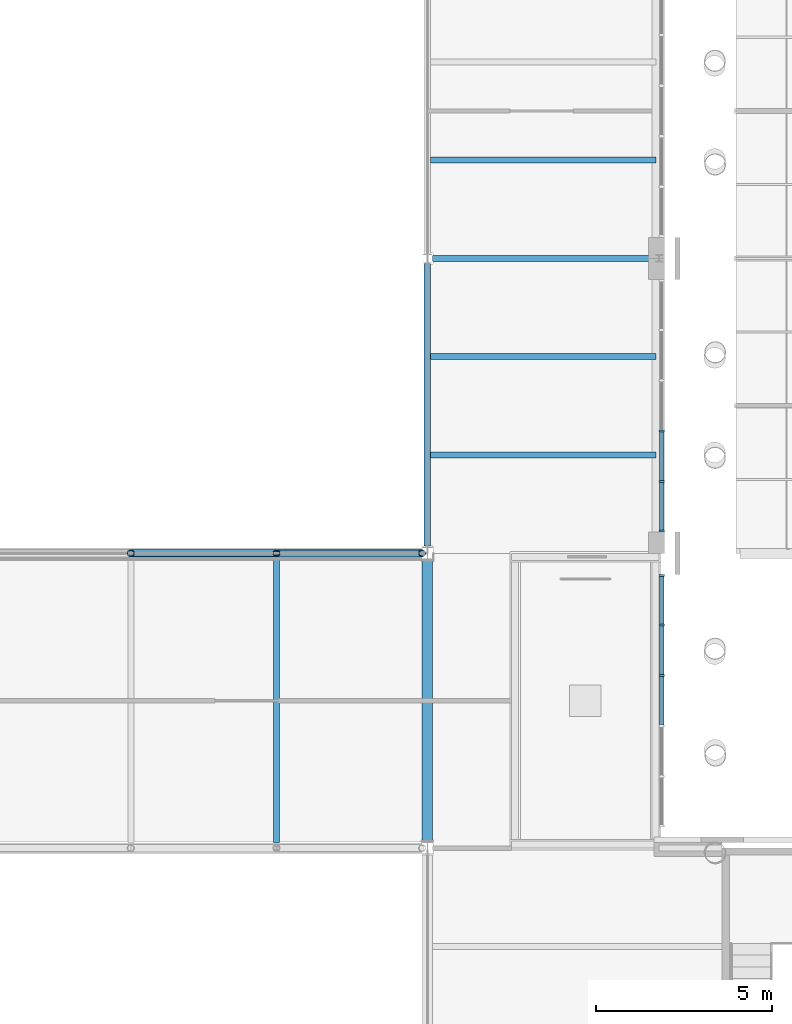
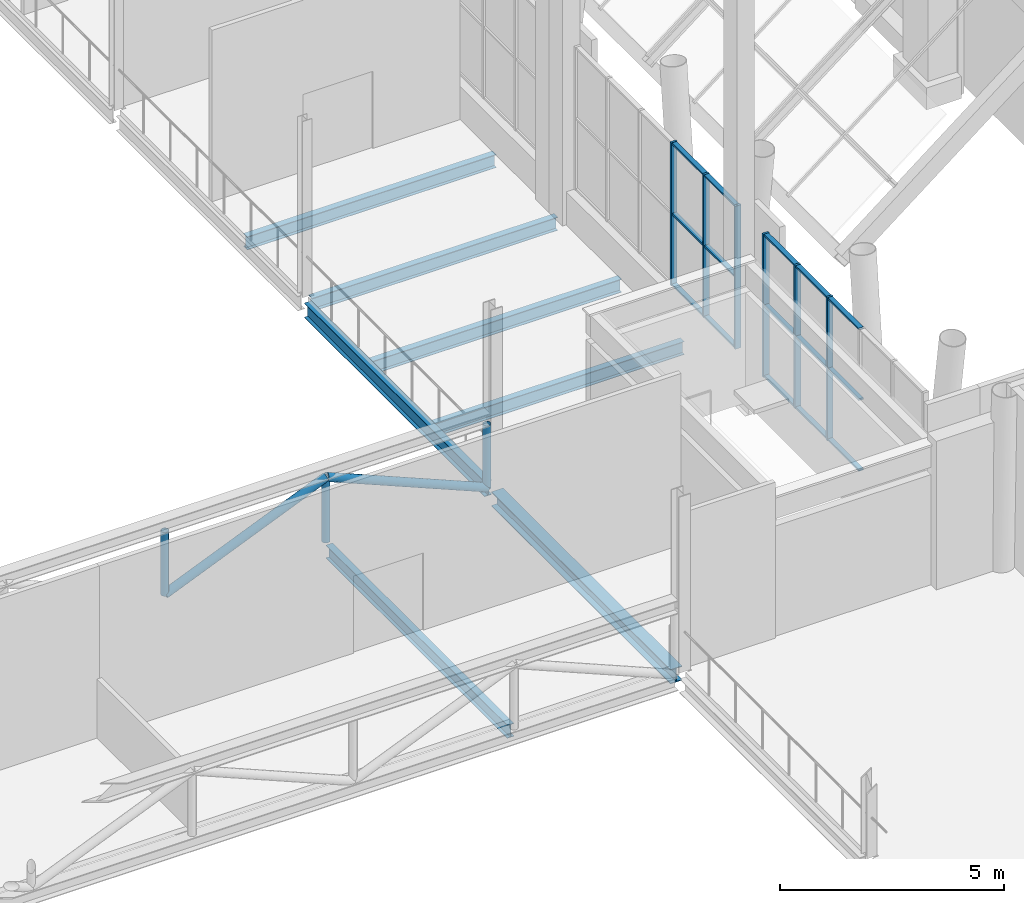
# One storey, part 26 of 76: 26 members, 7 beams, 2 elements without a shape of their own.
"""IFC4 building model written with IfcOpenShell, lengths in metres."""

from ifc_helpers import new_model, si_unit, direction, frame, origin, origin_2d, place, context, subcontext, project, spatial, rectangle, hollow_circle, i_section, extrude, material, material_profile, profile_set, type_object, element, aggregate, save


model = new_model("IFC4")

# Units and contexts
model_context = context("Model", 3, precision=1e-05, world=origin(), true_north=direction((0.0, 1.0)))
body_context = subcontext(model_context, "Body", "Model", "MODEL_VIEW")
ifc_project = project(units=[si_unit("LENGTHUNIT", "METRE"), si_unit("AREAUNIT", "SQUARE_METRE"), si_unit("VOLUMEUNIT", "CUBIC_METRE"), si_unit("PLANEANGLEUNIT", "RADIAN"), si_unit("MASSUNIT", "GRAM", prefix="KILO")], contexts=[model_context])

# Site, building, storey
site_placement = place(None, origin())
site = spatial("IfcSite", under=ifc_project, at=site_placement, CompositionType="ELEMENT")
building_placement = place(site_placement, origin())
building = spatial("IfcBuilding", under=site, at=building_placement, Name="Sava Quay Ferry Terminal", CompositionType="ELEMENT")
storey_placement = place(building_placement, frame((0.0, 0.0, 6.0)))
storey = spatial("IfcBuildingStorey", under=building, at=storey_placement, Name="L01", CompositionType="ELEMENT", Elevation=6.0)

# Beams
ifc_material_1 = material(Name="Steel S355", Category="steel")
ifc_material_profile_1 = material_profile(ifc_material_1, i_section(OverallWidth=0.169921875, OverallDepth=0.360107421875, WebThickness=0.008056640625, FlangeThickness=0.0126953125, at=origin_2d()), Name="IPE 360")
ifc_profile_set_1 = profile_set([ifc_material_profile_1], Name="Steel S355")
beam_type_1 = type_object("IfcBeamType", Name="Beam IPE 360", PredefinedType="BEAM", material=ifc_profile_set_1)
beam_1_placement = place(storey_placement, frame((75.75, 67.199951171875, -0.31005859375), z_axis=(1.0, 0.0, 0.0), x_axis=(0.0, 1.0, 0.0)))
element("IfcBeam", 1, at=beam_1_placement, inside=storey, type_object=beam_type_1, Name="Beam L01", PredefinedType="BEAM", context=body_context, shape_type="SweptSolid", body=[
    extrude(i_section(OverallWidth=0.169921875, OverallDepth=0.360107421875, WebThickness=0.008056640625, FlangeThickness=0.0126953125, at=origin_2d()), origin(), (0.0, 0.0, 1.0), 6.330078125),
])
for number, where, z_axis, x_axis, name in (
    (2, (75.68994140625, 61.60009765625, -0.31005859375), (1.0, 0.0, 0.0), (0.0, 1.0, 0.0), "Secondary beam L01"),
    (3, (75.68994140625, 64.39990234375, -0.31005859375), (1.0, 0.0, 0.0), (0.0, 1.0, 0.0), "Secondary beam L01"),
    (4, (75.68994140625, 70.0, -0.31005859375), (1.0, 0.0, 0.0), (0.0, 1.0, 0.0), "Secondary beam L01"),
):
    element("IfcBeam", number, at=place(storey_placement, frame(where, z_axis=z_axis, x_axis=x_axis)), inside=storey, type_object=beam_type_1, Name=name, PredefinedType="BEAM", context=body_context, shape_type="SweptSolid", body=[
        extrude(i_section(OverallWidth=0.169921875, OverallDepth=0.360107421875, WebThickness=0.008056640625, FlangeThickness=0.0126953125, at=origin_2d()), origin(), (0.0, 0.0, 1.0), 6.420166015625),
    ])
beam_2_placement = place(storey_placement, frame((71.300048828125, 50.550048828125, -0.31005859375), z_axis=(0.0, 1.0, 0.0), x_axis=(-1.0, 0.0, 0.0)))
element("IfcBeam", 5, at=beam_2_placement, inside=storey, type_object=beam_type_1, Name="Truss floor beam", PredefinedType="BEAM", context=body_context, shape_type="SweptSolid", body=[
    extrude(i_section(OverallWidth=0.169921875, OverallDepth=0.360107421875, WebThickness=0.008056640625, FlangeThickness=0.0126953125, at=origin_2d()), origin(), (0.0, 0.0, 1.0), 8.099853515625),
])
ifc_material_2 = material(Name="Steel S355", Category="steel")
ifc_material_profile_2 = material_profile(ifc_material_2, i_section(OverallWidth=0.179931640625, OverallDepth=0.39990234375, WebThickness=0.008544921875, FlangeThickness=0.013427734375, at=origin_2d()), Name="IPE 400")
ifc_profile_set_2 = profile_set([ifc_material_profile_2], Name="Steel S355")
beam_type_2 = type_object("IfcBeamType", Name="Beam IPE 400", PredefinedType="BEAM", material=ifc_profile_set_2)
beam_3_placement = place(storey_placement, frame((75.60009765625, 59.0, -0.330078125), z_axis=(0.0, 1.0, 0.0), x_axis=(-1.0, 0.0, 0.0)))
element("IfcBeam", 6, at=beam_3_placement, inside=storey, type_object=beam_type_2, Name="Girder L01", PredefinedType="BEAM", context=body_context, shape_type="SweptSolid", body=[
    extrude(i_section(OverallWidth=0.179931640625, OverallDepth=0.39990234375, WebThickness=0.008544921875, FlangeThickness=0.013427734375, at=origin_2d()), origin(), (0.0, 0.0, 1.0), 8.054931640625),
])

# Members
ifc_material_3 = material(Name="Steel S355", Category="steel")
ifc_material_profile_3 = material_profile(ifc_material_3, hollow_circle(Radius=0.096923828125, WallThickness=0.008056640625, at=origin_2d()), Name="CHS 193.7 x 8")
ifc_profile_set_3 = profile_set([ifc_material_profile_3], Name="Steel S355")
member_type_1 = type_object("IfcMemberType", Name="Brace CHS 193.7 x 8", PredefinedType="BRACE", material=ifc_profile_set_3)
for number, where, z_axis, x_axis, name in (
    (7, (67.14990234375, 58.800048828125, -0.1298828125), (0.0, 0.0, 1.0), (1.0, 0.0, 0.0), "Truss post 58.8"),
    (8, (71.300048828125, 58.800048828125, -0.1298828125), (0.0, 0.0, 1.0), (1.0, 0.0, 0.0), "Truss post 58.8"),
    (9, (75.449951171875, 58.800048828125, -0.1298828125), (0.0, 0.0, 1.0), (1.0, 0.0, 0.0), "Truss post 58.8"),
):
    element("IfcMember", number, at=place(storey_placement, frame(where, z_axis=z_axis, x_axis=x_axis)), inside=storey, type_object=member_type_1, Name=name, PredefinedType="BRACE", context=body_context, shape_type="SweptSolid", body=[
        extrude(hollow_circle(Radius=0.096923828125, WallThickness=0.008056640625, at=origin_2d()), origin(), (0.0, 0.0, 1.0), 1.739990234375),
    ])
ifc_material_4 = material(Name="Steel S355", Category="steel")
ifc_material_profile_4 = material_profile(ifc_material_4, hollow_circle(Radius=0.109619140625, WallThickness=0.010009765625, at=origin_2d()), Name="CHS 219.1 x 10")
ifc_profile_set_4 = profile_set([ifc_material_profile_4], Name="Steel S355")
member_type_2 = type_object("IfcMemberType", Name="Brace CHS 219.1 x 10", PredefinedType="BRACE", material=ifc_profile_set_4)
member_1_placement = place(storey_placement, frame((67.14990234375, 58.800048828125, -0.1298828125), z_axis=(0.922225585588, 0.0, 0.386652258867), x_axis=(0.0, 1.0, 0.0)))
element("IfcMember", 10, at=member_1_placement, inside=storey, type_object=member_type_2, Name="Truss diagonal 58.8", PredefinedType="BRACE", context=body_context, shape_type="SweptSolid", body=[
    extrude(hollow_circle(Radius=0.109619140625, WallThickness=0.010009765625, at=origin_2d()), origin(), (0.0, 0.0, 1.0), 4.500244140625),
])
member_2_placement = place(storey_placement, frame((75.449951171875, 58.800048828125, -0.1298828125), z_axis=(-0.922217474343, 0.0, 0.386671604874), x_axis=(0.0, -1.0, 0.0)))
element("IfcMember", 11, at=member_2_placement, inside=storey, type_object=member_type_2, Name="Truss diagonal 58.8", PredefinedType="BRACE", context=body_context, shape_type="SweptSolid", body=[
    extrude(hollow_circle(Radius=0.109619140625, WallThickness=0.010009765625, at=origin_2d()), origin(), (0.0, 0.0, 1.0), 4.5),
])

# Beam
ifc_material_5 = material(Name="Steel S355", Category="steel")
ifc_material_profile_5 = material_profile(ifc_material_5, i_section(OverallWidth=0.300048828125, OverallDepth=0.389892578125, WebThickness=0.010986328125, FlangeThickness=0.01904296875, at=origin_2d()), Name="HE 400 A")
ifc_profile_set_5 = profile_set([ifc_material_profile_5], Name="Steel S355")
beam_type_3 = type_object("IfcBeamType", Name="Girder HE 400 A", PredefinedType="BEAM", material=ifc_profile_set_5)
beam_4_placement = place(storey_placement, frame((75.60009765625, 50.60009765625, -0.324951171875), z_axis=(0.0, 1.0, 0.0), x_axis=(-1.0, 0.0, 0.0)))
element("IfcBeam", 12, at=beam_4_placement, inside=storey, type_object=beam_type_3, Name="Girder L01", PredefinedType="BEAM", context=body_context, shape_type="SweptSolid", body=[
    extrude(i_section(OverallWidth=0.300048828125, OverallDepth=0.389892578125, WebThickness=0.010986328125, FlangeThickness=0.01904296875, at=origin_2d()), origin(), (0.0, 0.0, 1.0), 8.0),
])

# Curtain wall, members
ifc_material_6 = material(Name="Aluminium and glass curtain wall, double low-e glazed", Category="aluminium")
curtain_wall_type = type_object("IfcCurtainWallType", Name="Curtain wall CW-F flank", PredefinedType="NOTDEFINED", material=ifc_material_6)
curtain_wall_1_placement = place(storey_placement, origin())
curtain_wall_1 = element("IfcCurtainWall", 13, at=curtain_wall_1_placement, inside=storey, type_object=curtain_wall_type, Name="Curtain wall D-E L01 bay 1", PredefinedType="NOTDEFINED")
ifc_material_7 = material(Name="Aluminium EN AW-6063 T6", Category="aluminium")
ifc_material_profile_6 = material_profile(ifc_material_7, rectangle(XDim=0.14990234375, YDim=0.06005859375, at=origin_2d()), Name="Mullion 60x150 aluminium")
ifc_profile_set_6 = profile_set([ifc_material_profile_6], Name="Aluminium EN AW-6063 T6")
member_type_3 = type_object("IfcMemberType", Name="Mullion 60x150 aluminium", PredefinedType="MULLION", material=ifc_profile_set_6)
member_3_placement = place(storey_placement, frame((82.27490234375, 55.320068359375, 0.89990234375), z_axis=(0.0, 0.0, 1.0), x_axis=(-1.0, 0.0, 0.0)))
member_3 = element("IfcMember", 14, at=member_3_placement, type_object=member_type_3, Name="CW37 mullion 4", PredefinedType="MULLION", context=body_context, shape_type="SweptSolid", body=[
    extrude(rectangle(XDim=0.14990234375, YDim=0.06005859375, at=origin_2d()), origin(), (0.0, 0.0, 1.0), 3.900146484375),
])
member_4_placement = place(storey_placement, frame((82.27490234375, 56.760009765625, 0.89990234375), z_axis=(0.0, 0.0, 1.0), x_axis=(-1.0, 0.0, 0.0)))
member_4 = element("IfcMember", 15, at=member_4_placement, type_object=member_type_3, Name="CW37 mullion 5", PredefinedType="MULLION", context=body_context, shape_type="SweptSolid", body=[
    extrude(rectangle(XDim=0.14990234375, YDim=0.06005859375, at=origin_2d()), origin(), (0.0, 0.0, 1.0), 3.900146484375),
])
member_5_placement = place(storey_placement, frame((82.27490234375, 58.169921875, 0.89990234375), z_axis=(0.0, 0.0, 1.0), x_axis=(-1.0, 0.0, 0.0)))
member_5 = element("IfcMember", 16, at=member_5_placement, type_object=member_type_3, Name="CW37 mullion 6", PredefinedType="MULLION", context=body_context, shape_type="SweptSolid", body=[
    extrude(rectangle(XDim=0.14990234375, YDim=0.06005859375, at=origin_2d()), origin(), (0.0, 0.0, 1.0), 3.900146484375),
])

curtain_wall_2_placement = place(storey_placement, origin())
curtain_wall_2 = element("IfcCurtainWall", 17, at=curtain_wall_2_placement, inside=storey, type_object=curtain_wall_type, Name="Curtain wall D-E L01 bay 2", PredefinedType="NOTDEFINED")
member_6_placement = place(storey_placement, frame((82.27490234375, 59.429931640625, 0.89990234375), z_axis=(0.0, 0.0, 1.0), x_axis=(-1.0, 0.0, 0.0)))
member_6 = element("IfcMember", 18, at=member_6_placement, type_object=member_type_3, Name="CW41 mullion 1", PredefinedType="MULLION", context=body_context, shape_type="SweptSolid", body=[
    extrude(rectangle(XDim=0.14990234375, YDim=0.06005859375, at=origin_2d()), origin(), (0.0, 0.0, 1.0), 3.900146484375),
])
member_7_placement = place(storey_placement, frame((82.27490234375, 60.840087890625, 0.89990234375), z_axis=(0.0, 0.0, 1.0), x_axis=(-1.0, 0.0, 0.0)))
member_7 = element("IfcMember", 19, at=member_7_placement, type_object=member_type_3, Name="CW41 mullion 2", PredefinedType="MULLION", context=body_context, shape_type="SweptSolid", body=[
    extrude(rectangle(XDim=0.14990234375, YDim=0.06005859375, at=origin_2d()), origin(), (0.0, 0.0, 1.0), 3.900146484375),
])
member_8_placement = place(storey_placement, frame((82.27490234375, 62.280029296875, 0.89990234375), z_axis=(0.0, 0.0, 1.0), x_axis=(-1.0, 0.0, 0.0)))
member_8 = element("IfcMember", 20, at=member_8_placement, type_object=member_type_3, Name="CW41 mullion 3", PredefinedType="MULLION", context=body_context, shape_type="SweptSolid", body=[
    extrude(rectangle(XDim=0.14990234375, YDim=0.06005859375, at=origin_2d()), origin(), (0.0, 0.0, 1.0), 3.900146484375),
])

# Member
ifc_material_8 = material(Name="Aluminium EN AW-6063 T6", Category="aluminium")
ifc_material_profile_7 = material_profile(ifc_material_8, rectangle(XDim=0.1201171875, YDim=0.050048828125, at=origin_2d()), Name="Transom 50x120 aluminium")
ifc_profile_set_7 = profile_set([ifc_material_profile_7], Name="Aluminium EN AW-6063 T6")
member_type_4 = type_object("IfcMemberType", Name="Transom 50x120 aluminium", PredefinedType="USERDEFINED", material=ifc_profile_set_7)
member_9_placement = place(storey_placement, frame((82.27490234375, 53.909912109375, 0.925048828125), z_axis=(0.0, 1.0, 0.0), x_axis=(-1.0, 0.0, 0.0)))
member_9 = element("IfcMember", 21, at=member_9_placement, type_object=member_type_4, Name="CW37 transom 3.1", ObjectType="TRANSOM", PredefinedType="USERDEFINED", context=body_context, shape_type="SweptSolid", body=[
    extrude(rectangle(XDim=0.1201171875, YDim=0.050048828125, at=origin_2d()), origin(), (0.0, 0.0, 1.0), 1.380126953125),
])

member_10_placement = place(storey_placement, frame((82.27490234375, 53.909912109375, 2.85009765625), z_axis=(0.0, 1.0, 0.0), x_axis=(-1.0, 0.0, 0.0)))
member_10 = element("IfcMember", 22, at=member_10_placement, type_object=member_type_4, Name="CW37 transom 3.2", ObjectType="TRANSOM", PredefinedType="USERDEFINED", context=body_context, shape_type="SweptSolid", body=[
    extrude(rectangle(XDim=0.1201171875, YDim=0.050048828125, at=origin_2d()), origin(), (0.0, 0.0, 1.0), 1.380126953125),
])

member_11_placement = place(storey_placement, frame((82.27490234375, 53.909912109375, 4.77490234375), z_axis=(0.0, 1.0, 0.0), x_axis=(-1.0, 0.0, 0.0)))
member_11 = element("IfcMember", 23, at=member_11_placement, type_object=member_type_4, Name="CW37 transom 3.3", ObjectType="TRANSOM", PredefinedType="USERDEFINED", context=body_context, shape_type="SweptSolid", body=[
    extrude(rectangle(XDim=0.1201171875, YDim=0.050048828125, at=origin_2d()), origin(), (0.0, 0.0, 1.0), 1.380126953125),
])

member_12_placement = place(storey_placement, frame((82.27490234375, 55.35009765625, 0.925048828125), z_axis=(0.0, 1.0, 0.0), x_axis=(-1.0, 0.0, 0.0)))
member_12 = element("IfcMember", 24, at=member_12_placement, type_object=member_type_4, Name="CW37 transom 4.1", ObjectType="TRANSOM", PredefinedType="USERDEFINED", context=body_context, shape_type="SweptSolid", body=[
    extrude(rectangle(XDim=0.1201171875, YDim=0.050048828125, at=origin_2d()), origin(), (0.0, 0.0, 1.0), 1.3798828125),
])

member_13_placement = place(storey_placement, frame((82.27490234375, 55.35009765625, 2.85009765625), z_axis=(0.0, 1.0, 0.0), x_axis=(-1.0, 0.0, 0.0)))
member_13 = element("IfcMember", 25, at=member_13_placement, type_object=member_type_4, Name="CW37 transom 4.2", ObjectType="TRANSOM", PredefinedType="USERDEFINED", context=body_context, shape_type="SweptSolid", body=[
    extrude(rectangle(XDim=0.1201171875, YDim=0.050048828125, at=origin_2d()), origin(), (0.0, 0.0, 1.0), 1.3798828125),
])

member_14_placement = place(storey_placement, frame((82.27490234375, 55.35009765625, 4.77490234375), z_axis=(0.0, 1.0, 0.0), x_axis=(-1.0, 0.0, 0.0)))
member_14 = element("IfcMember", 26, at=member_14_placement, type_object=member_type_4, Name="CW37 transom 4.3", ObjectType="TRANSOM", PredefinedType="USERDEFINED", context=body_context, shape_type="SweptSolid", body=[
    extrude(rectangle(XDim=0.1201171875, YDim=0.050048828125, at=origin_2d()), origin(), (0.0, 0.0, 1.0), 1.3798828125),
])

member_15_placement = place(storey_placement, frame((82.27490234375, 56.7900390625, 0.925048828125), z_axis=(0.0, 1.0, 0.0), x_axis=(-1.0, 0.0, 0.0)))
member_15 = element("IfcMember", 27, at=member_15_placement, type_object=member_type_4, Name="CW37 transom 5.1", ObjectType="TRANSOM", PredefinedType="USERDEFINED", context=body_context, shape_type="SweptSolid", body=[
    extrude(rectangle(XDim=0.1201171875, YDim=0.050048828125, at=origin_2d()), origin(), (0.0, 0.0, 1.0), 1.349853515625),
])

member_16_placement = place(storey_placement, frame((82.27490234375, 56.7900390625, 2.85009765625), z_axis=(0.0, 1.0, 0.0), x_axis=(-1.0, 0.0, 0.0)))
member_16 = element("IfcMember", 28, at=member_16_placement, type_object=member_type_4, Name="CW37 transom 5.2", ObjectType="TRANSOM", PredefinedType="USERDEFINED", context=body_context, shape_type="SweptSolid", body=[
    extrude(rectangle(XDim=0.1201171875, YDim=0.050048828125, at=origin_2d()), origin(), (0.0, 0.0, 1.0), 1.349853515625),
])

member_17_placement = place(storey_placement, frame((82.27490234375, 56.7900390625, 4.77490234375), z_axis=(0.0, 1.0, 0.0), x_axis=(-1.0, 0.0, 0.0)))
member_17 = element("IfcMember", 29, at=member_17_placement, type_object=member_type_4, Name="CW37 transom 5.3", ObjectType="TRANSOM", PredefinedType="USERDEFINED", context=body_context, shape_type="SweptSolid", body=[
    extrude(rectangle(XDim=0.1201171875, YDim=0.050048828125, at=origin_2d()), origin(), (0.0, 0.0, 1.0), 1.349853515625),
])

aggregate(curtain_wall_1, [member_3, member_4, member_5, member_9, member_10, member_11, member_12, member_13, member_14, member_15, member_16, member_17])

member_18_placement = place(storey_placement, frame((82.27490234375, 59.4599609375, 0.925048828125), z_axis=(0.0, 1.0, 0.0), x_axis=(-1.0, 0.0, 0.0)))
member_18 = element("IfcMember", 30, at=member_18_placement, type_object=member_type_4, Name="CW41 transom 1.1", ObjectType="TRANSOM", PredefinedType="USERDEFINED", context=body_context, shape_type="SweptSolid", body=[
    extrude(rectangle(XDim=0.1201171875, YDim=0.050048828125, at=origin_2d()), origin(), (0.0, 0.0, 1.0), 1.35009765625),
])

member_19_placement = place(storey_placement, frame((82.27490234375, 59.4599609375, 2.85009765625), z_axis=(0.0, 1.0, 0.0), x_axis=(-1.0, 0.0, 0.0)))
member_19 = element("IfcMember", 31, at=member_19_placement, type_object=member_type_4, Name="CW41 transom 1.2", ObjectType="TRANSOM", PredefinedType="USERDEFINED", context=body_context, shape_type="SweptSolid", body=[
    extrude(rectangle(XDim=0.1201171875, YDim=0.050048828125, at=origin_2d()), origin(), (0.0, 0.0, 1.0), 1.35009765625),
])

member_20_placement = place(storey_placement, frame((82.27490234375, 59.4599609375, 4.77490234375), z_axis=(0.0, 1.0, 0.0), x_axis=(-1.0, 0.0, 0.0)))
member_20 = element("IfcMember", 32, at=member_20_placement, type_object=member_type_4, Name="CW41 transom 1.3", ObjectType="TRANSOM", PredefinedType="USERDEFINED", context=body_context, shape_type="SweptSolid", body=[
    extrude(rectangle(XDim=0.1201171875, YDim=0.050048828125, at=origin_2d()), origin(), (0.0, 0.0, 1.0), 1.35009765625),
])

member_21_placement = place(storey_placement, frame((82.27490234375, 60.8701171875, 0.925048828125), z_axis=(0.0, 1.0, 0.0), x_axis=(-1.0, 0.0, 0.0)))
member_21 = element("IfcMember", 33, at=member_21_placement, type_object=member_type_4, Name="CW41 transom 2.1", ObjectType="TRANSOM", PredefinedType="USERDEFINED", context=body_context, shape_type="SweptSolid", body=[
    extrude(rectangle(XDim=0.1201171875, YDim=0.050048828125, at=origin_2d()), origin(), (0.0, 0.0, 1.0), 1.3798828125),
])

member_22_placement = place(storey_placement, frame((82.27490234375, 60.8701171875, 2.85009765625), z_axis=(0.0, 1.0, 0.0), x_axis=(-1.0, 0.0, 0.0)))
member_22 = element("IfcMember", 34, at=member_22_placement, type_object=member_type_4, Name="CW41 transom 2.2", ObjectType="TRANSOM", PredefinedType="USERDEFINED", context=body_context, shape_type="SweptSolid", body=[
    extrude(rectangle(XDim=0.1201171875, YDim=0.050048828125, at=origin_2d()), origin(), (0.0, 0.0, 1.0), 1.3798828125),
])

member_23_placement = place(storey_placement, frame((82.27490234375, 60.8701171875, 4.77490234375), z_axis=(0.0, 1.0, 0.0), x_axis=(-1.0, 0.0, 0.0)))
member_23 = element("IfcMember", 35, at=member_23_placement, type_object=member_type_4, Name="CW41 transom 2.3", ObjectType="TRANSOM", PredefinedType="USERDEFINED", context=body_context, shape_type="SweptSolid", body=[
    extrude(rectangle(XDim=0.1201171875, YDim=0.050048828125, at=origin_2d()), origin(), (0.0, 0.0, 1.0), 1.3798828125),
])

aggregate(curtain_wall_2, [member_6, member_7, member_8, member_18, member_19, member_20, member_21, member_22, member_23])

save(model, "model.ifc")
